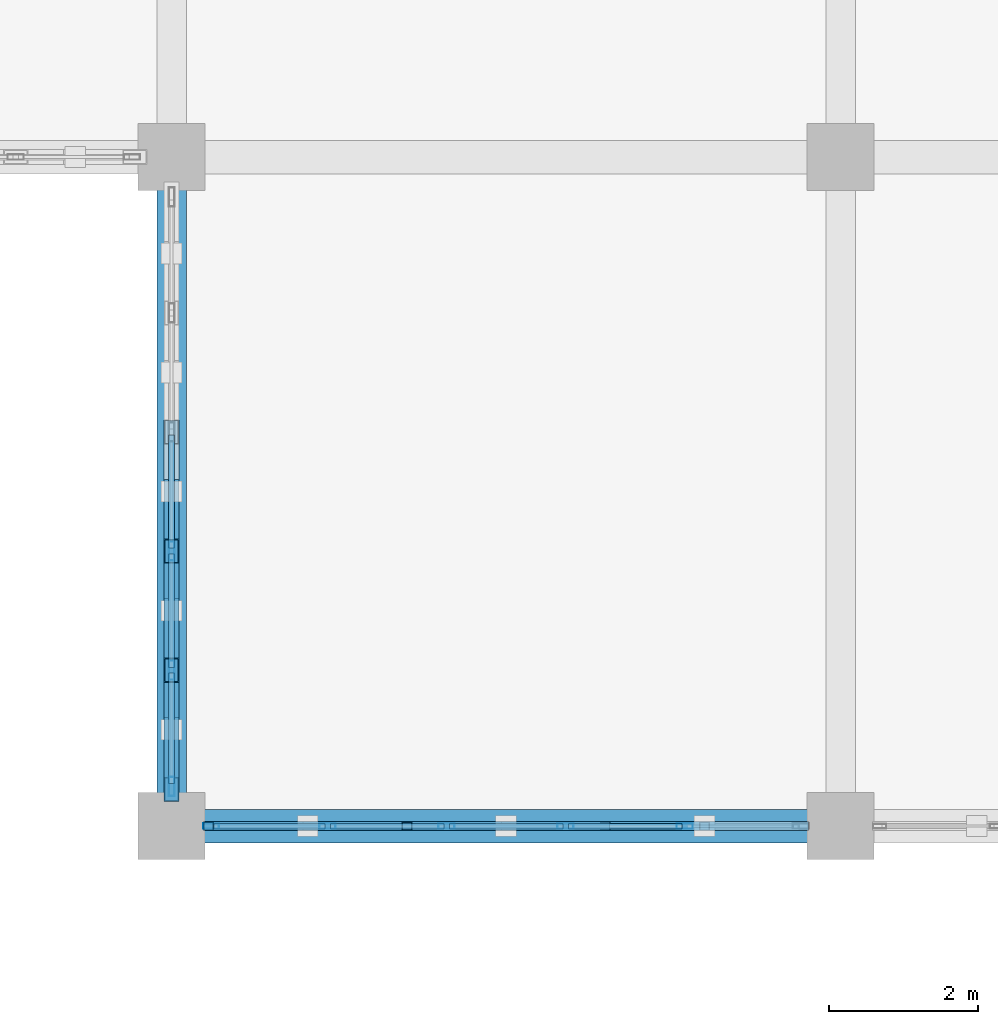
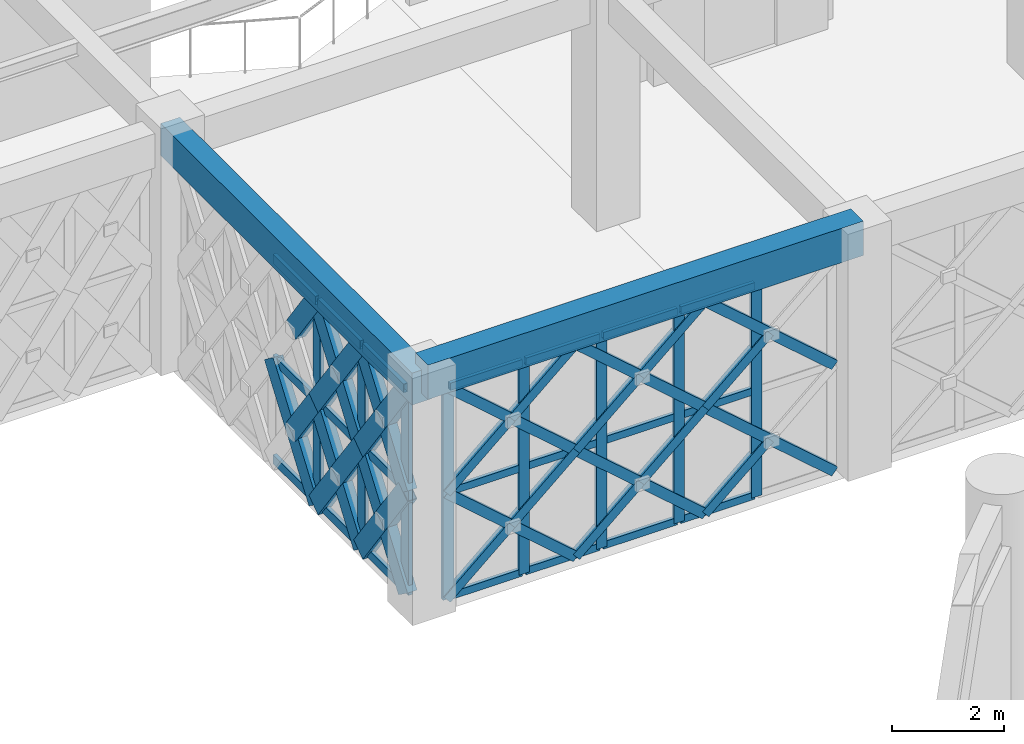
# One storey, part 69 of 155: 60 members, 2 beams, 2 elements without a shape of their own.
"""IFC4 building model written with IfcOpenShell, lengths in metres."""

from ifc_helpers import new_model, si_unit, direction, frame, origin, origin_2d, place, context, subcontext, project, spatial, rectangle, hollow_rectangle, extrude, material, material_profile, profile_set, type_object, element, aggregate, save


model = new_model("IFC4")

# Units and contexts
model_context = context("Model", 3, precision=1e-05, world=origin(), true_north=direction((0.0, 1.0)))
body_context = subcontext(model_context, "Body", "Model", "MODEL_VIEW")
ifc_project = project(units=[si_unit("LENGTHUNIT", "METRE"), si_unit("AREAUNIT", "SQUARE_METRE"), si_unit("VOLUMEUNIT", "CUBIC_METRE"), si_unit("PLANEANGLEUNIT", "RADIAN"), si_unit("MASSUNIT", "GRAM", prefix="KILO")], contexts=[model_context])

# Site, building, storey
site_placement = place(None, origin())
site = spatial("IfcSite", under=ifc_project, at=site_placement, CompositionType="ELEMENT")
building_placement = place(site_placement, origin())
building = spatial("IfcBuilding", under=site, at=building_placement, Name="Haizhuo Lancet Aquarium", CompositionType="ELEMENT")
storey_placement = place(building_placement, frame((0.0, 0.0, 10.800048828125)))
storey = spatial("IfcBuildingStorey", under=building, at=storey_placement, Name="L02", CompositionType="ELEMENT", Elevation=10.800048828125)

# Beams
ifc_material_1 = material(Name="Concrete C40/50", Category="concrete")
ifc_material_profile_1 = material_profile(ifc_material_1, rectangle(XDim=0.39990234375, YDim=0.699951171875, at=origin_2d()), Name="RC-BM 400x700")
ifc_profile_set_1 = profile_set([ifc_material_profile_1], Name="Concrete C40/50")
beam_type_1 = type_object("IfcBeamType", Name="BM-RC-400x700", PredefinedType="BEAM", material=ifc_profile_set_1)
beam_1_placement = place(storey_placement, frame((-18.0, 27.0, 4.81005859375), z_axis=(0.0, 1.0, 0.0), x_axis=(-1.0, 0.0, 0.0)))
element("IfcBeam", 1, at=beam_1_placement, inside=storey, type_object=beam_type_1, Name="L02 V5 primary girder BM-L02-V5-003", PredefinedType="BEAM", context=body_context, shape_type="SweptSolid", body=[
    extrude(rectangle(XDim=0.39990234375, YDim=0.699951171875, at=origin_2d()), origin(), (0.0, 0.0, 1.0), 9.0),
])
ifc_material_profile_2 = material_profile(ifc_material_1, rectangle(XDim=0.449951171875, YDim=0.75, at=origin_2d()), Name="RC-BM 450x750")
ifc_profile_set_2 = profile_set([ifc_material_profile_2], Name="Concrete C40/50")
beam_type_2 = type_object("IfcBeamType", Name="BM-RC-450x750", PredefinedType="BEAM", material=ifc_profile_set_2)
beam_2_placement = place(storey_placement, frame((-18.0, 27.0, 5.02490234375), z_axis=(1.0, 0.0, 0.0), x_axis=(0.0, 1.0, 0.0)))
element("IfcBeam", 2, at=beam_2_placement, inside=storey, type_object=beam_type_2, Name="L02 V5 primary girder BM-L02-V5-004", PredefinedType="BEAM", context=body_context, shape_type="SweptSolid", body=[
    extrude(rectangle(XDim=0.449951171875, YDim=0.75, at=origin_2d()), origin(), (0.0, 0.0, 1.0), 9.0),
])

# Curtain wall, members
ifc_material_2 = material(Name="Aluminium 6063-T6", Category="aluminium")
curtain_wall_type_1 = type_object("IfcCurtainWallType", Name="CWO-8010x4650", PredefinedType="NOTDEFINED", material=ifc_material_2)
curtain_wall_1_placement = place(storey_placement, origin())
curtain_wall_1 = element("IfcCurtainWall", 3, at=curtain_wall_1_placement, inside=storey, type_object=curtain_wall_type_1, Name="L02 curtain wall CW-V5-L02-158", PredefinedType="NOTDEFINED")
ifc_material_profile_3 = material_profile(ifc_material_2, hollow_rectangle(XDim=0.074951171875, YDim=0.219970703125, WallThickness=0.0048828125, at=origin_2d()), Name="ALU-M 75x220x5")
ifc_profile_set_3 = profile_set([ifc_material_profile_3], Name="Aluminium 6063-T6")
member_type_1 = type_object("IfcMemberType", Name="CW-MUL-2", PredefinedType="MULLION", material=ifc_profile_set_3)
member_1_placement = place(storey_placement, frame((-11.096923828125, 27.0, 0.0), z_axis=(0.0, 0.0, 1.0), x_axis=(0.0, -1.0, 0.0)))
member_1 = element("IfcMember", 4, at=member_1_placement, type_object=member_type_1, Name="CWO-80x46 mullion 2", PredefinedType="MULLION", context=body_context, shape_type="SweptSolid", body=[
    extrude(hollow_rectangle(XDim=0.074951171875, YDim=0.219970703125, WallThickness=0.0048828125, at=origin_2d()), origin(), (0.0, 0.0, 1.0), 4.64990234375),
])
member_2_placement = place(storey_placement, frame((-12.698974609375, 27.0, 0.0), z_axis=(0.0, 0.0, 1.0), x_axis=(0.0, -1.0, 0.0)))
member_2 = element("IfcMember", 5, at=member_2_placement, type_object=member_type_1, Name="CWO-80x46 mullion 3", PredefinedType="MULLION", context=body_context, shape_type="SweptSolid", body=[
    extrude(hollow_rectangle(XDim=0.074951171875, YDim=0.219970703125, WallThickness=0.0048828125, at=origin_2d()), origin(), (0.0, 0.0, 1.0), 4.64990234375),
])
member_3_placement = place(storey_placement, frame((-14.301025390625, 27.0, 0.0), z_axis=(0.0, 0.0, 1.0), x_axis=(0.0, -1.0, 0.0)))
member_3 = element("IfcMember", 6, at=member_3_placement, type_object=member_type_1, Name="CWO-80x46 mullion 4", PredefinedType="MULLION", context=body_context, shape_type="SweptSolid", body=[
    extrude(hollow_rectangle(XDim=0.074951171875, YDim=0.219970703125, WallThickness=0.0048828125, at=origin_2d()), origin(), (0.0, 0.0, 1.0), 4.64990234375),
])
member_4_placement = place(storey_placement, frame((-15.903076171875, 27.0, 0.0), z_axis=(0.0, 0.0, 1.0), x_axis=(0.0, -1.0, 0.0)))
member_4 = element("IfcMember", 7, at=member_4_placement, type_object=member_type_1, Name="CWO-80x46 mullion 5", PredefinedType="MULLION", context=body_context, shape_type="SweptSolid", body=[
    extrude(hollow_rectangle(XDim=0.074951171875, YDim=0.219970703125, WallThickness=0.0048828125, at=origin_2d()), origin(), (0.0, 0.0, 1.0), 4.64990234375),
])
member_5_placement = place(storey_placement, frame((-17.468017578125, 27.0, 0.0), z_axis=(0.0, 0.0, 1.0), x_axis=(0.0, -1.0, 0.0)))
member_5 = element("IfcMember", 8, at=member_5_placement, type_object=member_type_1, Name="CWO-80x46 mullion 6", PredefinedType="MULLION", context=body_context, shape_type="SweptSolid", body=[
    extrude(hollow_rectangle(XDim=0.074951171875, YDim=0.219970703125, WallThickness=0.0048828125, at=origin_2d()), origin(), (0.0, 0.0, 1.0), 4.64990234375),
])

curtain_wall_type_2 = type_object("IfcCurtainWallType", Name="CWD-8010x4460", PredefinedType="NOTDEFINED", material=ifc_material_2)
curtain_wall_2_placement = place(storey_placement, origin())
curtain_wall_2 = element("IfcCurtainWall", 9, at=curtain_wall_2_placement, inside=storey, type_object=curtain_wall_type_2, Name="L02 curtain wall CW-V5-L02-159", PredefinedType="NOTDEFINED")
ifc_material_profile_4 = material_profile(ifc_material_2, hollow_rectangle(XDim=0.080078125, YDim=0.260009765625, WallThickness=0.0048828125, at=origin_2d()), Name="ALU-M 80x260x5")
ifc_profile_set_4 = profile_set([ifc_material_profile_4], Name="Aluminium 6063-T6")
member_type_2 = type_object("IfcMemberType", Name="CW-MUL-3", PredefinedType="MULLION", material=ifc_profile_set_4)
member_6_placement = place(storey_placement, frame((-18.0, 27.534912109375, 0.0), z_axis=(0.0, 0.0, 1.0), x_axis=(-1.0, 0.0, 0.0)))
member_6 = element("IfcMember", 10, at=member_6_placement, type_object=member_type_2, Name="CWD-80x44 mullion 1", PredefinedType="MULLION", context=body_context, shape_type="SweptSolid", body=[
    extrude(hollow_rectangle(XDim=0.080078125, YDim=0.260009765625, WallThickness=0.0048828125, at=origin_2d()), origin(), (0.0, 0.0, 1.0), 4.4599609375),
])
member_7_placement = place(storey_placement, frame((-18.0, 29.096923828125, 0.0), z_axis=(0.0, 0.0, 1.0), x_axis=(-1.0, 0.0, 0.0)))
member_7 = element("IfcMember", 11, at=member_7_placement, type_object=member_type_2, Name="CWD-80x44 mullion 2", PredefinedType="MULLION", context=body_context, shape_type="SweptSolid", body=[
    extrude(hollow_rectangle(XDim=0.080078125, YDim=0.260009765625, WallThickness=0.0048828125, at=origin_2d()), origin(), (0.0, 0.0, 1.0), 4.4599609375),
])
member_8_placement = place(storey_placement, frame((-18.0, 30.698974609375, 0.0), z_axis=(0.0, 0.0, 1.0), x_axis=(-1.0, 0.0, 0.0)))
member_8 = element("IfcMember", 12, at=member_8_placement, type_object=member_type_2, Name="CWD-80x44 mullion 3", PredefinedType="MULLION", context=body_context, shape_type="SweptSolid", body=[
    extrude(hollow_rectangle(XDim=0.080078125, YDim=0.260009765625, WallThickness=0.0048828125, at=origin_2d()), origin(), (0.0, 0.0, 1.0), 4.4599609375),
])

# Member
ifc_material_profile_5 = material_profile(ifc_material_2, hollow_rectangle(XDim=0.074951171875, YDim=0.159912109375, WallThickness=0.00390625, at=origin_2d()), Name="ALU-T 75x160x4")
ifc_profile_set_5 = profile_set([ifc_material_profile_5], Name="Aluminium 6063-T6")
member_type_3 = type_object("IfcMemberType", Name="CW-TRN-2", PredefinedType="NOTDEFINED", material=ifc_profile_set_5)
member_9_placement = place(storey_placement, frame((-11.134033203125, 27.0, 0.037841796875), z_axis=(-1.0, 0.0, 0.0), x_axis=(0.0, -1.0, 0.0)))
member_9 = element("IfcMember", 13, at=member_9_placement, type_object=member_type_3, Name="CWO-80x46 transom 2.1", ObjectType="TRANSOM", PredefinedType="USERDEFINED", context=body_context, shape_type="SweptSolid", body=[
    extrude(hollow_rectangle(XDim=0.074951171875, YDim=0.159912109375, WallThickness=0.00390625, at=origin_2d()), origin(), (0.0, 0.0, 1.0), 1.52685546875),
])

member_10_placement = place(storey_placement, frame((-11.134033203125, 27.0, 2.324951171875), z_axis=(-1.0, 0.0, 0.0), x_axis=(0.0, -1.0, 0.0)))
member_10 = element("IfcMember", 14, at=member_10_placement, type_object=member_type_3, Name="CWO-80x46 transom 2.2", ObjectType="TRANSOM", PredefinedType="USERDEFINED", context=body_context, shape_type="SweptSolid", body=[
    extrude(hollow_rectangle(XDim=0.074951171875, YDim=0.159912109375, WallThickness=0.00390625, at=origin_2d()), origin(), (0.0, 0.0, 1.0), 1.52685546875),
])

member_11_placement = place(storey_placement, frame((-11.134033203125, 27.0, 4.612060546875), z_axis=(-1.0, 0.0, 0.0), x_axis=(0.0, -1.0, 0.0)))
member_11 = element("IfcMember", 15, at=member_11_placement, type_object=member_type_3, Name="CWO-80x46 transom 2.3", ObjectType="TRANSOM", PredefinedType="USERDEFINED", context=body_context, shape_type="SweptSolid", body=[
    extrude(hollow_rectangle(XDim=0.074951171875, YDim=0.159912109375, WallThickness=0.00390625, at=origin_2d()), origin(), (0.0, 0.0, 1.0), 1.52685546875),
])

member_12_placement = place(storey_placement, frame((-12.736083984375, 27.0, 0.037841796875), z_axis=(-1.0, 0.0, 0.0), x_axis=(0.0, -1.0, 0.0)))
member_12 = element("IfcMember", 16, at=member_12_placement, type_object=member_type_3, Name="CWO-80x46 transom 3.1", ObjectType="TRANSOM", PredefinedType="USERDEFINED", context=body_context, shape_type="SweptSolid", body=[
    extrude(hollow_rectangle(XDim=0.074951171875, YDim=0.159912109375, WallThickness=0.00390625, at=origin_2d()), origin(), (0.0, 0.0, 1.0), 1.52685546875),
])

member_13_placement = place(storey_placement, frame((-12.736083984375, 27.0, 2.324951171875), z_axis=(-1.0, 0.0, 0.0), x_axis=(0.0, -1.0, 0.0)))
member_13 = element("IfcMember", 17, at=member_13_placement, type_object=member_type_3, Name="CWO-80x46 transom 3.2", ObjectType="TRANSOM", PredefinedType="USERDEFINED", context=body_context, shape_type="SweptSolid", body=[
    extrude(hollow_rectangle(XDim=0.074951171875, YDim=0.159912109375, WallThickness=0.00390625, at=origin_2d()), origin(), (0.0, 0.0, 1.0), 1.52685546875),
])

member_14_placement = place(storey_placement, frame((-12.736083984375, 27.0, 4.612060546875), z_axis=(-1.0, 0.0, 0.0), x_axis=(0.0, -1.0, 0.0)))
member_14 = element("IfcMember", 18, at=member_14_placement, type_object=member_type_3, Name="CWO-80x46 transom 3.3", ObjectType="TRANSOM", PredefinedType="USERDEFINED", context=body_context, shape_type="SweptSolid", body=[
    extrude(hollow_rectangle(XDim=0.074951171875, YDim=0.159912109375, WallThickness=0.00390625, at=origin_2d()), origin(), (0.0, 0.0, 1.0), 1.52685546875),
])

member_15_placement = place(storey_placement, frame((-14.337890625, 27.0, 0.037841796875), z_axis=(-1.0, 0.0, 0.0), x_axis=(0.0, -1.0, 0.0)))
member_15 = element("IfcMember", 19, at=member_15_placement, type_object=member_type_3, Name="CWO-80x46 transom 4.1", ObjectType="TRANSOM", PredefinedType="USERDEFINED", context=body_context, shape_type="SweptSolid", body=[
    extrude(hollow_rectangle(XDim=0.074951171875, YDim=0.159912109375, WallThickness=0.00390625, at=origin_2d()), origin(), (0.0, 0.0, 1.0), 1.527099609375),
])

member_16_placement = place(storey_placement, frame((-14.337890625, 27.0, 2.324951171875), z_axis=(-1.0, 0.0, 0.0), x_axis=(0.0, -1.0, 0.0)))
member_16 = element("IfcMember", 20, at=member_16_placement, type_object=member_type_3, Name="CWO-80x46 transom 4.2", ObjectType="TRANSOM", PredefinedType="USERDEFINED", context=body_context, shape_type="SweptSolid", body=[
    extrude(hollow_rectangle(XDim=0.074951171875, YDim=0.159912109375, WallThickness=0.00390625, at=origin_2d()), origin(), (0.0, 0.0, 1.0), 1.527099609375),
])

member_17_placement = place(storey_placement, frame((-14.337890625, 27.0, 4.612060546875), z_axis=(-1.0, 0.0, 0.0), x_axis=(0.0, -1.0, 0.0)))
member_17 = element("IfcMember", 21, at=member_17_placement, type_object=member_type_3, Name="CWO-80x46 transom 4.3", ObjectType="TRANSOM", PredefinedType="USERDEFINED", context=body_context, shape_type="SweptSolid", body=[
    extrude(hollow_rectangle(XDim=0.074951171875, YDim=0.159912109375, WallThickness=0.00390625, at=origin_2d()), origin(), (0.0, 0.0, 1.0), 1.527099609375),
])

member_18_placement = place(storey_placement, frame((-15.93994140625, 27.0, 0.037841796875), z_axis=(-1.0, 0.0, 0.0), x_axis=(0.0, -1.0, 0.0)))
member_18 = element("IfcMember", 22, at=member_18_placement, type_object=member_type_3, Name="CWO-80x46 transom 5.1", ObjectType="TRANSOM", PredefinedType="USERDEFINED", context=body_context, shape_type="SweptSolid", body=[
    extrude(hollow_rectangle(XDim=0.074951171875, YDim=0.159912109375, WallThickness=0.00390625, at=origin_2d()), origin(), (0.0, 0.0, 1.0), 1.489990234375),
])

member_19_placement = place(storey_placement, frame((-15.93994140625, 27.0, 2.324951171875), z_axis=(-1.0, 0.0, 0.0), x_axis=(0.0, -1.0, 0.0)))
member_19 = element("IfcMember", 23, at=member_19_placement, type_object=member_type_3, Name="CWO-80x46 transom 5.2", ObjectType="TRANSOM", PredefinedType="USERDEFINED", context=body_context, shape_type="SweptSolid", body=[
    extrude(hollow_rectangle(XDim=0.074951171875, YDim=0.159912109375, WallThickness=0.00390625, at=origin_2d()), origin(), (0.0, 0.0, 1.0), 1.489990234375),
])

member_20_placement = place(storey_placement, frame((-15.93994140625, 27.0, 4.612060546875), z_axis=(-1.0, 0.0, 0.0), x_axis=(0.0, -1.0, 0.0)))
member_20 = element("IfcMember", 24, at=member_20_placement, type_object=member_type_3, Name="CWO-80x46 transom 5.3", ObjectType="TRANSOM", PredefinedType="USERDEFINED", context=body_context, shape_type="SweptSolid", body=[
    extrude(hollow_rectangle(XDim=0.074951171875, YDim=0.159912109375, WallThickness=0.00390625, at=origin_2d()), origin(), (0.0, 0.0, 1.0), 1.489990234375),
])

aggregate(curtain_wall_1, [member_1, member_2, member_3, member_4, member_5, member_9, member_10, member_11, member_12, member_13, member_14, member_15, member_16, member_17, member_18, member_19, member_20])

ifc_material_profile_6 = material_profile(ifc_material_2, hollow_rectangle(XDim=0.080078125, YDim=0.18994140625, WallThickness=0.0048828125, at=origin_2d()), Name="ALU-T 80x190x5")
ifc_profile_set_6 = profile_set([ifc_material_profile_6], Name="Aluminium 6063-T6")
member_type_4 = type_object("IfcMemberType", Name="CW-TRN-3", PredefinedType="NOTDEFINED", material=ifc_profile_set_6)
member_21_placement = place(storey_placement, frame((-18.0, 27.574951171875, 0.0400390625), z_axis=(0.0, 1.0, 0.0), x_axis=(-1.0, 0.0, 0.0)))
member_21 = element("IfcMember", 25, at=member_21_placement, type_object=member_type_4, Name="CWD-80x44 transom 1.1", ObjectType="TRANSOM", PredefinedType="USERDEFINED", context=body_context, shape_type="SweptSolid", body=[
    extrude(hollow_rectangle(XDim=0.080078125, YDim=0.18994140625, WallThickness=0.0048828125, at=origin_2d()), origin(), (0.0, 0.0, 1.0), 1.48193359375),
])

member_22_placement = place(storey_placement, frame((-18.0, 27.574951171875, 2.22998046875), z_axis=(0.0, 1.0, 0.0), x_axis=(-1.0, 0.0, 0.0)))
member_22 = element("IfcMember", 26, at=member_22_placement, type_object=member_type_4, Name="CWD-80x44 transom 1.2", ObjectType="TRANSOM", PredefinedType="USERDEFINED", context=body_context, shape_type="SweptSolid", body=[
    extrude(hollow_rectangle(XDim=0.080078125, YDim=0.18994140625, WallThickness=0.0048828125, at=origin_2d()), origin(), (0.0, 0.0, 1.0), 1.48193359375),
])

member_23_placement = place(storey_placement, frame((-18.0, 27.574951171875, 4.419921875), z_axis=(0.0, 1.0, 0.0), x_axis=(-1.0, 0.0, 0.0)))
member_23 = element("IfcMember", 27, at=member_23_placement, type_object=member_type_4, Name="CWD-80x44 transom 1.3", ObjectType="TRANSOM", PredefinedType="USERDEFINED", context=body_context, shape_type="SweptSolid", body=[
    extrude(hollow_rectangle(XDim=0.080078125, YDim=0.18994140625, WallThickness=0.0048828125, at=origin_2d()), origin(), (0.0, 0.0, 1.0), 1.48193359375),
])

member_24_placement = place(storey_placement, frame((-18.0, 29.136962890625, 0.0400390625), z_axis=(0.0, 1.0, 0.0), x_axis=(-1.0, 0.0, 0.0)))
member_24 = element("IfcMember", 28, at=member_24_placement, type_object=member_type_4, Name="CWD-80x44 transom 2.1", ObjectType="TRANSOM", PredefinedType="USERDEFINED", context=body_context, shape_type="SweptSolid", body=[
    extrude(hollow_rectangle(XDim=0.080078125, YDim=0.18994140625, WallThickness=0.0048828125, at=origin_2d()), origin(), (0.0, 0.0, 1.0), 1.52197265625),
])

member_25_placement = place(storey_placement, frame((-18.0, 29.136962890625, 2.22998046875), z_axis=(0.0, 1.0, 0.0), x_axis=(-1.0, 0.0, 0.0)))
member_25 = element("IfcMember", 29, at=member_25_placement, type_object=member_type_4, Name="CWD-80x44 transom 2.2", ObjectType="TRANSOM", PredefinedType="USERDEFINED", context=body_context, shape_type="SweptSolid", body=[
    extrude(hollow_rectangle(XDim=0.080078125, YDim=0.18994140625, WallThickness=0.0048828125, at=origin_2d()), origin(), (0.0, 0.0, 1.0), 1.52197265625),
])

member_26_placement = place(storey_placement, frame((-18.0, 29.136962890625, 4.419921875), z_axis=(0.0, 1.0, 0.0), x_axis=(-1.0, 0.0, 0.0)))
member_26 = element("IfcMember", 30, at=member_26_placement, type_object=member_type_4, Name="CWD-80x44 transom 2.3", ObjectType="TRANSOM", PredefinedType="USERDEFINED", context=body_context, shape_type="SweptSolid", body=[
    extrude(hollow_rectangle(XDim=0.080078125, YDim=0.18994140625, WallThickness=0.0048828125, at=origin_2d()), origin(), (0.0, 0.0, 1.0), 1.52197265625),
])

member_27_placement = place(storey_placement, frame((-18.0, 30.739013671875, 0.0400390625), z_axis=(0.0, 1.0, 0.0), x_axis=(-1.0, 0.0, 0.0)))
member_27 = element("IfcMember", 31, at=member_27_placement, type_object=member_type_4, Name="CWD-80x44 transom 3.1", ObjectType="TRANSOM", PredefinedType="USERDEFINED", context=body_context, shape_type="SweptSolid", body=[
    extrude(hollow_rectangle(XDim=0.080078125, YDim=0.18994140625, WallThickness=0.0048828125, at=origin_2d()), origin(), (0.0, 0.0, 1.0), 1.52197265625),
])

member_28_placement = place(storey_placement, frame((-18.0, 30.739013671875, 2.22998046875), z_axis=(0.0, 1.0, 0.0), x_axis=(-1.0, 0.0, 0.0)))
member_28 = element("IfcMember", 32, at=member_28_placement, type_object=member_type_4, Name="CWD-80x44 transom 3.2", ObjectType="TRANSOM", PredefinedType="USERDEFINED", context=body_context, shape_type="SweptSolid", body=[
    extrude(hollow_rectangle(XDim=0.080078125, YDim=0.18994140625, WallThickness=0.0048828125, at=origin_2d()), origin(), (0.0, 0.0, 1.0), 1.52197265625),
])

member_29_placement = place(storey_placement, frame((-18.0, 30.739013671875, 4.419921875), z_axis=(0.0, 1.0, 0.0), x_axis=(-1.0, 0.0, 0.0)))
member_29 = element("IfcMember", 33, at=member_29_placement, type_object=member_type_4, Name="CWD-80x44 transom 3.3", ObjectType="TRANSOM", PredefinedType="USERDEFINED", context=body_context, shape_type="SweptSolid", body=[
    extrude(hollow_rectangle(XDim=0.080078125, YDim=0.18994140625, WallThickness=0.0048828125, at=origin_2d()), origin(), (0.0, 0.0, 1.0), 1.52197265625),
])

aggregate(curtain_wall_2, [member_6, member_7, member_8, member_21, member_22, member_23, member_24, member_25, member_26, member_27, member_28, member_29])

# Members
ifc_material_3 = material(Name="Steel S355", Category="steel")
ifc_material_profile_7 = material_profile(ifc_material_3, hollow_rectangle(XDim=0.1201171875, YDim=0.199951171875, WallThickness=0.008056640625, at=origin_2d()), Name="RHS 120x200x8")
ifc_profile_set_7 = profile_set([ifc_material_profile_7], Name="Steel S355")
member_type_5 = type_object("IfcMemberType", Name="MEM-LB-RHS120x200", PredefinedType="BRACE", material=ifc_profile_set_7)
member_30_placement = place(storey_placement, frame((-9.4951171875, 27.0, 0.0), z_axis=(-0.754146594137, 0.0, 0.656706109726), x_axis=(0.0, -1.0, 0.0)))
element("IfcMember", 34, at=member_30_placement, inside=storey, type_object=member_type_5, Name="Gothic lancet continuous diagonal brace CW-V5-L02-158 1A", PredefinedType="BRACE", context=body_context, shape_type="SweptSolid", body=[
    extrude(hollow_rectangle(XDim=0.1201171875, YDim=0.199951171875, WallThickness=0.008056640625, at=origin_2d()), origin(), (0.0, 0.0, 1.0), 3.540283203125),
])
member_31_placement = place(storey_placement, frame((-12.1650390625, 27.0, 0.0), z_axis=(0.754044141002, 0.0, 0.656823746085), x_axis=(0.0, 1.0, 0.0)))
element("IfcMember", 35, at=member_31_placement, inside=storey, type_object=member_type_5, Name="Gothic lancet split diagonal brace CW-V5-L02-158 1B1", PredefinedType="BRACE", context=body_context, shape_type="SweptSolid", body=[
    extrude(hollow_rectangle(XDim=0.1201171875, YDim=0.199951171875, WallThickness=0.008056640625, at=origin_2d()), origin(), (0.0, 0.0, 1.0), 1.7705078125),
])
member_32_placement = place(storey_placement, frame((-9.4951171875, 27.0, 2.324951171875), z_axis=(-0.754146594137, 0.0, 0.656706109726), x_axis=(0.0, -1.0, 0.0)))
element("IfcMember", 36, at=member_32_placement, inside=storey, type_object=member_type_5, Name="Gothic lancet continuous diagonal brace CW-V5-L02-158 2A", PredefinedType="BRACE", context=body_context, shape_type="SweptSolid", body=[
    extrude(hollow_rectangle(XDim=0.1201171875, YDim=0.199951171875, WallThickness=0.008056640625, at=origin_2d()), origin(), (0.0, 0.0, 1.0), 3.540283203125),
])
member_33_placement = place(storey_placement, frame((-12.1650390625, 27.0, 2.324951171875), z_axis=(0.754249056755, 0.0, 0.656588425412), x_axis=(0.0, 1.0, 0.0)))
element("IfcMember", 37, at=member_33_placement, inside=storey, type_object=member_type_5, Name="Gothic lancet split diagonal brace CW-V5-L02-158 2B1", PredefinedType="BRACE", context=body_context, shape_type="SweptSolid", body=[
    extrude(hollow_rectangle(XDim=0.1201171875, YDim=0.199951171875, WallThickness=0.008056640625, at=origin_2d()), origin(), (0.0, 0.0, 1.0), 1.77001953125),
])
member_34_placement = place(storey_placement, frame((-12.1650390625, 27.0, 0.0), z_axis=(-0.754146594137, 0.0, 0.656706109726), x_axis=(0.0, -1.0, 0.0)))
element("IfcMember", 38, at=member_34_placement, inside=storey, type_object=member_type_5, Name="Gothic lancet continuous diagonal brace CW-V5-L02-158 3A", PredefinedType="BRACE", context=body_context, shape_type="SweptSolid", body=[
    extrude(hollow_rectangle(XDim=0.1201171875, YDim=0.199951171875, WallThickness=0.008056640625, at=origin_2d()), origin(), (0.0, 0.0, 1.0), 3.540283203125),
])
member_35_placement = place(storey_placement, frame((-14.8349609375, 27.0, 0.0), z_axis=(0.754044141002, 0.0, 0.656823746085), x_axis=(0.0, 1.0, 0.0)))
element("IfcMember", 39, at=member_35_placement, inside=storey, type_object=member_type_5, Name="Gothic lancet split diagonal brace CW-V5-L02-158 3B1", PredefinedType="BRACE", context=body_context, shape_type="SweptSolid", body=[
    extrude(hollow_rectangle(XDim=0.1201171875, YDim=0.199951171875, WallThickness=0.008056640625, at=origin_2d()), origin(), (0.0, 0.0, 1.0), 1.7705078125),
])
member_36_placement = place(storey_placement, frame((-13.5, 27.0, 1.162841796875), z_axis=(0.754249056755, 0.0, 0.656588425412), x_axis=(0.0, 1.0, 0.0)))
element("IfcMember", 40, at=member_36_placement, inside=storey, type_object=member_type_5, Name="Gothic lancet split diagonal brace CW-V5-L02-158 3B2", PredefinedType="BRACE", context=body_context, shape_type="SweptSolid", body=[
    extrude(hollow_rectangle(XDim=0.1201171875, YDim=0.199951171875, WallThickness=0.008056640625, at=origin_2d()), origin(), (0.0, 0.0, 1.0), 1.77001953125),
])
member_37_placement = place(storey_placement, frame((-12.1650390625, 27.0, 2.324951171875), z_axis=(-0.754146594137, 0.0, 0.656706109726), x_axis=(0.0, -1.0, 0.0)))
element("IfcMember", 41, at=member_37_placement, inside=storey, type_object=member_type_5, Name="Gothic lancet continuous diagonal brace CW-V5-L02-158 4A", PredefinedType="BRACE", context=body_context, shape_type="SweptSolid", body=[
    extrude(hollow_rectangle(XDim=0.1201171875, YDim=0.199951171875, WallThickness=0.008056640625, at=origin_2d()), origin(), (0.0, 0.0, 1.0), 3.540283203125),
])
member_38_placement = place(storey_placement, frame((-14.8349609375, 27.0, 2.324951171875), z_axis=(0.754249056755, 0.0, 0.656588425412), x_axis=(0.0, 1.0, 0.0)))
element("IfcMember", 42, at=member_38_placement, inside=storey, type_object=member_type_5, Name="Gothic lancet split diagonal brace CW-V5-L02-158 4B1", PredefinedType="BRACE", context=body_context, shape_type="SweptSolid", body=[
    extrude(hollow_rectangle(XDim=0.1201171875, YDim=0.199951171875, WallThickness=0.008056640625, at=origin_2d()), origin(), (0.0, 0.0, 1.0), 1.77001953125),
])
member_39_placement = place(storey_placement, frame((-13.5, 27.0, 3.487060546875), z_axis=(0.754044141002, 0.0, 0.656823746085), x_axis=(0.0, 1.0, 0.0)))
element("IfcMember", 43, at=member_39_placement, inside=storey, type_object=member_type_5, Name="Gothic lancet split diagonal brace CW-V5-L02-158 4B2", PredefinedType="BRACE", context=body_context, shape_type="SweptSolid", body=[
    extrude(hollow_rectangle(XDim=0.1201171875, YDim=0.199951171875, WallThickness=0.008056640625, at=origin_2d()), origin(), (0.0, 0.0, 1.0), 1.7705078125),
])
member_40_placement = place(storey_placement, frame((-14.8349609375, 27.0, 0.0), z_axis=(-0.754146594137, 0.0, 0.656706109726), x_axis=(0.0, -1.0, 0.0)))
element("IfcMember", 44, at=member_40_placement, inside=storey, type_object=member_type_5, Name="Gothic lancet continuous diagonal brace CW-V5-L02-158 5A", PredefinedType="BRACE", context=body_context, shape_type="SweptSolid", body=[
    extrude(hollow_rectangle(XDim=0.1201171875, YDim=0.199951171875, WallThickness=0.008056640625, at=origin_2d()), origin(), (0.0, 0.0, 1.0), 3.540283203125),
])
member_41_placement = place(storey_placement, frame((-17.5048828125, 27.0, 0.0), z_axis=(0.754044141002, 0.0, 0.656823746085), x_axis=(0.0, 1.0, 0.0)))
element("IfcMember", 45, at=member_41_placement, inside=storey, type_object=member_type_5, Name="Gothic lancet split diagonal brace CW-V5-L02-158 5B1", PredefinedType="BRACE", context=body_context, shape_type="SweptSolid", body=[
    extrude(hollow_rectangle(XDim=0.1201171875, YDim=0.199951171875, WallThickness=0.008056640625, at=origin_2d()), origin(), (0.0, 0.0, 1.0), 1.7705078125),
])
member_42_placement = place(storey_placement, frame((-16.169921875, 27.0, 1.162841796875), z_axis=(0.754249056755, 0.0, 0.656588425412), x_axis=(0.0, 1.0, 0.0)))
element("IfcMember", 46, at=member_42_placement, inside=storey, type_object=member_type_5, Name="Gothic lancet split diagonal brace CW-V5-L02-158 5B2", PredefinedType="BRACE", context=body_context, shape_type="SweptSolid", body=[
    extrude(hollow_rectangle(XDim=0.1201171875, YDim=0.199951171875, WallThickness=0.008056640625, at=origin_2d()), origin(), (0.0, 0.0, 1.0), 1.77001953125),
])
member_43_placement = place(storey_placement, frame((-14.8349609375, 27.0, 2.324951171875), z_axis=(-0.754146594137, 0.0, 0.656706109726), x_axis=(0.0, -1.0, 0.0)))
element("IfcMember", 47, at=member_43_placement, inside=storey, type_object=member_type_5, Name="Gothic lancet continuous diagonal brace CW-V5-L02-158 6A", PredefinedType="BRACE", context=body_context, shape_type="SweptSolid", body=[
    extrude(hollow_rectangle(XDim=0.1201171875, YDim=0.199951171875, WallThickness=0.008056640625, at=origin_2d()), origin(), (0.0, 0.0, 1.0), 3.540283203125),
])
member_44_placement = place(storey_placement, frame((-17.5048828125, 27.0, 2.324951171875), z_axis=(0.754249056755, 0.0, 0.656588425412), x_axis=(0.0, 1.0, 0.0)))
element("IfcMember", 48, at=member_44_placement, inside=storey, type_object=member_type_5, Name="Gothic lancet split diagonal brace CW-V5-L02-158 6B1", PredefinedType="BRACE", context=body_context, shape_type="SweptSolid", body=[
    extrude(hollow_rectangle(XDim=0.1201171875, YDim=0.199951171875, WallThickness=0.008056640625, at=origin_2d()), origin(), (0.0, 0.0, 1.0), 1.77001953125),
])
member_45_placement = place(storey_placement, frame((-16.169921875, 27.0, 3.487060546875), z_axis=(0.754044141002, 0.0, 0.656823746085), x_axis=(0.0, 1.0, 0.0)))
element("IfcMember", 49, at=member_45_placement, inside=storey, type_object=member_type_5, Name="Gothic lancet split diagonal brace CW-V5-L02-158 6B2", PredefinedType="BRACE", context=body_context, shape_type="SweptSolid", body=[
    extrude(hollow_rectangle(XDim=0.1201171875, YDim=0.199951171875, WallThickness=0.008056640625, at=origin_2d()), origin(), (0.0, 0.0, 1.0), 1.7705078125),
])
ifc_material_profile_8 = material_profile(ifc_material_3, hollow_rectangle(XDim=0.199951171875, YDim=0.39990234375, WallThickness=0.011962890625, at=origin_2d()), Name="RHS 200x400x12")
ifc_profile_set_8 = profile_set([ifc_material_profile_8], Name="Steel S355")
member_type_6 = type_object("IfcMemberType", Name="MEM-LB-RHS200x400", PredefinedType="BRACE", material=ifc_profile_set_8)
member_46_placement = place(storey_placement, frame((-18.0, 27.4951171875, 0.0), z_axis=(0.0, 0.583397836814, 0.812186532763), x_axis=(-1.0, 0.0, 0.0)))
element("IfcMember", 50, at=member_46_placement, inside=storey, type_object=member_type_6, Name="Gothic lancet continuous diagonal brace CW-V5-L02-159 1A", PredefinedType="BRACE", context=body_context, shape_type="SweptSolid", body=[
    extrude(hollow_rectangle(XDim=0.199951171875, YDim=0.39990234375, WallThickness=0.011962890625, at=origin_2d()), origin(), (0.0, 0.0, 1.0), 2.74560546875),
])
for number, where, z_axis, x_axis, name in (
    (51, (-18.0, 29.096923828125, 0.0), (0.0, -0.583456487426, 0.81214440051), (1.0, 0.0, 0.0), "Gothic lancet split diagonal brace CW-V5-L02-159 1B1"),
    (52, (-18.0, 28.2958984375, 1.114990234375), (0.0, -0.583339177073, 0.81222866515), (1.0, 0.0, 0.0), "Gothic lancet split diagonal brace CW-V5-L02-159 1B2"),
):
    element("IfcMember", number, at=place(storey_placement, frame(where, z_axis=z_axis, x_axis=x_axis)), inside=storey, type_object=member_type_6, Name=name, PredefinedType="BRACE", context=body_context, shape_type="SweptSolid", body=[
        extrude(hollow_rectangle(XDim=0.199951171875, YDim=0.39990234375, WallThickness=0.011962890625, at=origin_2d()), origin(), (0.0, 0.0, 1.0), 1.372802734375),
    ])
member_47_placement = place(storey_placement, frame((-18.0, 27.4951171875, 2.22998046875), z_axis=(0.0, 0.583397836814, 0.812186532763), x_axis=(-1.0, 0.0, 0.0)))
element("IfcMember", 53, at=member_47_placement, inside=storey, type_object=member_type_6, Name="Gothic lancet continuous diagonal brace CW-V5-L02-159 2A", PredefinedType="BRACE", context=body_context, shape_type="SweptSolid", body=[
    extrude(hollow_rectangle(XDim=0.199951171875, YDim=0.39990234375, WallThickness=0.011962890625, at=origin_2d()), origin(), (0.0, 0.0, 1.0), 2.74560546875),
])
for number, where, z_axis, x_axis, name in (
    (54, (-18.0, 29.096923828125, 2.22998046875), (0.0, -0.583456487426, 0.81214440051), (1.0, 0.0, 0.0), "Gothic lancet split diagonal brace CW-V5-L02-159 2B1"),
    (55, (-18.0, 28.2958984375, 3.344970703125), (0.0, -0.583339177073, 0.81222866515), (1.0, 0.0, 0.0), "Gothic lancet split diagonal brace CW-V5-L02-159 2B2"),
):
    element("IfcMember", number, at=place(storey_placement, frame(where, z_axis=z_axis, x_axis=x_axis)), inside=storey, type_object=member_type_6, Name=name, PredefinedType="BRACE", context=body_context, shape_type="SweptSolid", body=[
        extrude(hollow_rectangle(XDim=0.199951171875, YDim=0.39990234375, WallThickness=0.011962890625, at=origin_2d()), origin(), (0.0, 0.0, 1.0), 1.372802734375),
    ])
member_48_placement = place(storey_placement, frame((-18.0, 29.096923828125, 0.0), z_axis=(0.0, 0.583456487426, 0.81214440051), x_axis=(-1.0, 0.0, 0.0)))
element("IfcMember", 56, at=member_48_placement, inside=storey, type_object=member_type_6, Name="Gothic lancet continuous diagonal brace CW-V5-L02-159 3A", PredefinedType="BRACE", context=body_context, shape_type="SweptSolid", body=[
    extrude(hollow_rectangle(XDim=0.199951171875, YDim=0.39990234375, WallThickness=0.011962890625, at=origin_2d()), origin(), (0.0, 0.0, 1.0), 2.745849609375),
])
for number, where, z_axis, x_axis, name in (
    (57, (-18.0, 30.698974609375, 0.0), (0.0, -0.583456487426, 0.81214440051), (1.0, 0.0, 0.0), "Gothic lancet split diagonal brace CW-V5-L02-159 3B1"),
    (58, (-18.0, 29.89794921875, 1.114990234375), (0.0, -0.583456487426, 0.81214440051), (1.0, 0.0, 0.0), "Gothic lancet split diagonal brace CW-V5-L02-159 3B2"),
):
    element("IfcMember", number, at=place(storey_placement, frame(where, z_axis=z_axis, x_axis=x_axis)), inside=storey, type_object=member_type_6, Name=name, PredefinedType="BRACE", context=body_context, shape_type="SweptSolid", body=[
        extrude(hollow_rectangle(XDim=0.199951171875, YDim=0.39990234375, WallThickness=0.011962890625, at=origin_2d()), origin(), (0.0, 0.0, 1.0), 1.372802734375),
    ])
member_49_placement = place(storey_placement, frame((-18.0, 29.096923828125, 2.22998046875), z_axis=(0.0, 0.583456487426, 0.81214440051), x_axis=(-1.0, 0.0, 0.0)))
element("IfcMember", 59, at=member_49_placement, inside=storey, type_object=member_type_6, Name="Gothic lancet continuous diagonal brace CW-V5-L02-159 4A", PredefinedType="BRACE", context=body_context, shape_type="SweptSolid", body=[
    extrude(hollow_rectangle(XDim=0.199951171875, YDim=0.39990234375, WallThickness=0.011962890625, at=origin_2d()), origin(), (0.0, 0.0, 1.0), 2.745849609375),
])
for number, where, z_axis, x_axis, name in (
    (60, (-18.0, 30.698974609375, 2.22998046875), (0.0, -0.583456487426, 0.81214440051), (1.0, 0.0, 0.0), "Gothic lancet split diagonal brace CW-V5-L02-159 4B1"),
    (61, (-18.0, 29.89794921875, 3.344970703125), (0.0, -0.583456487426, 0.81214440051), (1.0, 0.0, 0.0), "Gothic lancet split diagonal brace CW-V5-L02-159 4B2"),
):
    element("IfcMember", number, at=place(storey_placement, frame(where, z_axis=z_axis, x_axis=x_axis)), inside=storey, type_object=member_type_6, Name=name, PredefinedType="BRACE", context=body_context, shape_type="SweptSolid", body=[
        extrude(hollow_rectangle(XDim=0.199951171875, YDim=0.39990234375, WallThickness=0.011962890625, at=origin_2d()), origin(), (0.0, 0.0, 1.0), 1.372802734375),
    ])
member_50_placement = place(storey_placement, frame((-18.0, 30.698974609375, 0.0), z_axis=(0.0, 0.583456487426, 0.81214440051), x_axis=(-1.0, 0.0, 0.0)))
element("IfcMember", 62, at=member_50_placement, inside=storey, type_object=member_type_6, Name="Gothic lancet continuous diagonal brace CW-V5-L02-159 5A", PredefinedType="BRACE", context=body_context, shape_type="SweptSolid", body=[
    extrude(hollow_rectangle(XDim=0.199951171875, YDim=0.39990234375, WallThickness=0.011962890625, at=origin_2d()), origin(), (0.0, 0.0, 1.0), 2.745849609375),
])
for number, where, z_axis, x_axis, name in (
    (63, (-18.0, 31.5, 1.114990234375), (0.0, -0.583456487426, 0.81214440051), (1.0, 0.0, 0.0), "Gothic lancet split diagonal brace CW-V5-L02-159 5B2"),
    (64, (-18.0, 31.5, 3.344970703125), (0.0, -0.583456487426, 0.81214440051), (1.0, 0.0, 0.0), "Gothic lancet split diagonal brace CW-V5-L02-159 6B2"),
):
    element("IfcMember", number, at=place(storey_placement, frame(where, z_axis=z_axis, x_axis=x_axis)), inside=storey, type_object=member_type_6, Name=name, PredefinedType="BRACE", context=body_context, shape_type="SweptSolid", body=[
        extrude(hollow_rectangle(XDim=0.199951171875, YDim=0.39990234375, WallThickness=0.011962890625, at=origin_2d()), origin(), (0.0, 0.0, 1.0), 1.372802734375),
    ])

save(model, "model.ifc")
